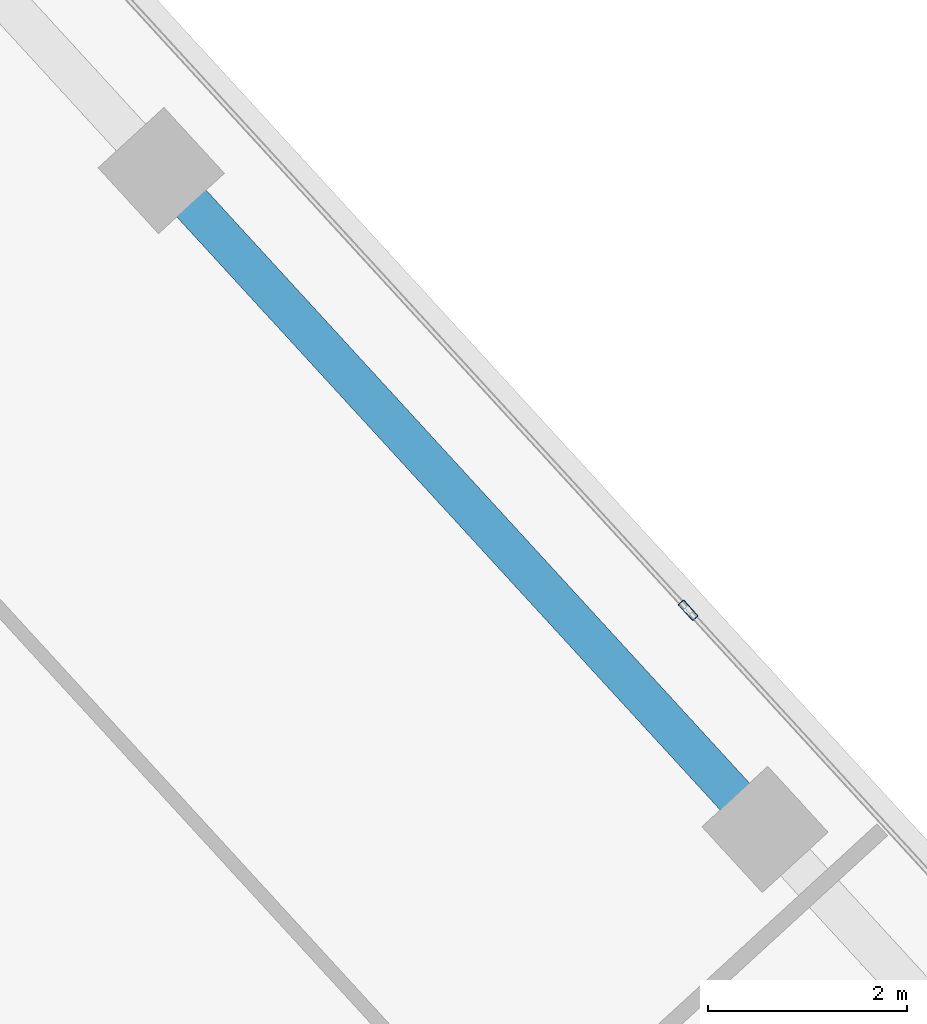
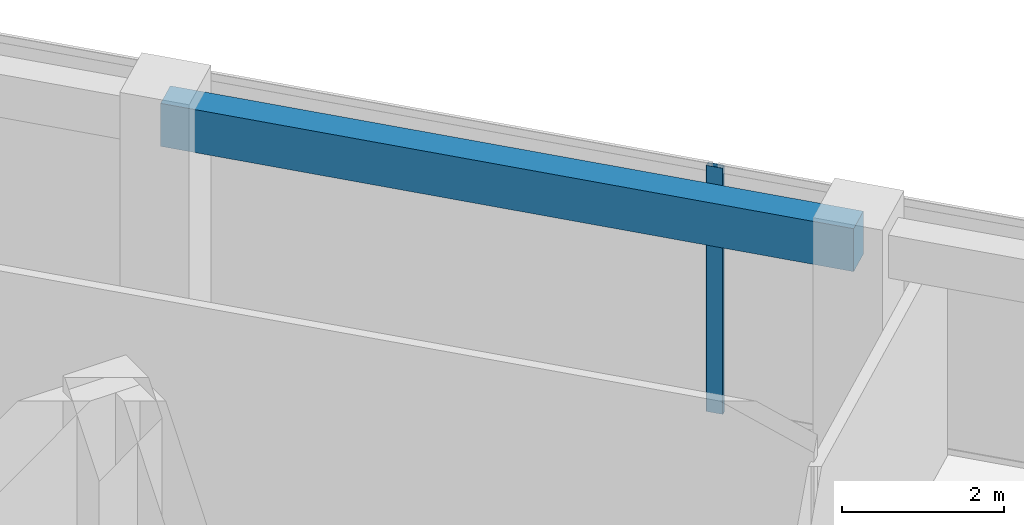
# One storey, part 11 of 18: 1 beam, 1 member, 1 element without a shape of its own.
"""IFC4 building model written with IfcOpenShell, lengths in metres."""

from ifc_helpers import new_model, si_unit, direction, frame, origin, origin_2d, place, context, subcontext, project, spatial, rectangle, hollow_rectangle, extrude, source, transform, mapped, material, material_profile, profile_set, type_object, element, aggregate, save


model = new_model("IFC4")

# Units and contexts
model_context = context("Model", 3, precision=1e-05, world=origin(), true_north=direction((0.0, 1.0)))
body_context = subcontext(model_context, "Body", "Model", "MODEL_VIEW")
ifc_project = project(units=[si_unit("LENGTHUNIT", "METRE"), si_unit("AREAUNIT", "SQUARE_METRE"), si_unit("VOLUMEUNIT", "CUBIC_METRE"), si_unit("PLANEANGLEUNIT", "RADIAN"), si_unit("MASSUNIT", "GRAM", prefix="KILO")], contexts=[model_context])

# Site, building, storey
site_placement = place(None, origin())
site = spatial("IfcSite", under=ifc_project, at=site_placement, CompositionType="ELEMENT")
building_placement = place(site_placement, origin())
building = spatial("IfcBuilding", under=site, at=building_placement, Name="Torre Montelarca", CompositionType="ELEMENT")
storey_placement = place(building_placement, frame((0.0, 0.0, 258.39990234375)))
storey = spatial("IfcBuildingStorey", under=building, at=storey_placement, Name="L58", CompositionType="ELEMENT", Elevation=258.39990234375)

# Beam
ifc_material_1 = material(Name="Concrete C40/50", Category="concrete")
ifc_material_profile_1 = material_profile(ifc_material_1, rectangle(XDim=0.39990234375, YDim=0.64990234375, at=origin_2d()), Name="RCB400X650", Category="concrete")
ifc_profile_set_1 = profile_set([ifc_material_profile_1], Name="Concrete C40/50")
beam_type = type_object("IfcBeamType", Name="BM-SP-RC650-EXT", PredefinedType="SPANDREL", material=ifc_profile_set_1)
shared_shape_1 = source(origin(), body_context, "Body", "SweptSolid", [
    extrude(rectangle(XDim=0.39990234375, YDim=0.64990234375, at=origin_2d()), origin(), (0.0, 0.0, 1.0), 9.0),
])
beam_placement = place(storey_placement, frame((30.30517578125, 44.815673828125, 3.635009765625), z_axis=(0.675590724023, -0.73727686361, 0.0), x_axis=(0.73727686361, 0.675590724023, 0.0)))
element("IfcBeam", 1, at=beam_placement, inside=storey, type_object=beam_type, Name="L58 Grid Girder X 18.0-27.0 at Y=47.1", PredefinedType="SPANDREL", context=body_context, shape_type="MappedRepresentation", body=[
    mapped(shared_shape_1, transform((0.0, 0.0, 0.0), scale=1.0)),
])

# Curtain wall, member
ifc_material_2 = material(Name="Insulated low-E laminated glass", Category="glass")
curtain_wall_type = type_object("IfcCurtainWallType", Name="CW-SYS-Z3", PredefinedType="USERDEFINED", material=ifc_material_2)
curtain_wall_placement = place(storey_placement, origin())
curtain_wall = element("IfcCurtainWall", 2, at=curtain_wall_placement, inside=storey, type_object=curtain_wall_type, Name="L58 Curtain Wall Run CW-T3-L58-E08-B1", ObjectType="UNITISED GLAZING", PredefinedType="USERDEFINED")
ifc_material_3 = material(Name="Anodised aluminium AA 6063-T6", Category="aluminium")
ifc_material_profile_2 = material_profile(ifc_material_3, hollow_rectangle(XDim=0.074951171875, YDim=0.219970703125, WallThickness=0.0048828125, InnerFilletRadius=0.0048828125, OuterFilletRadius=0.010009765625, at=origin_2d()), Name="ALU75X220X5", Category="aluminium")
ifc_profile_set_2 = profile_set([ifc_material_profile_2], Name="Anodised aluminium AA 6063-T6")
member_type = type_object("IfcMemberType", Name="CWM-ALU220", PredefinedType="MULLION", material=ifc_profile_set_2)
shared_shape_2 = source(origin(), body_context, "Body", "SweptSolid", [
    extrude(hollow_rectangle(XDim=0.074951171875, YDim=0.219970703125, WallThickness=0.0048828125, InnerFilletRadius=0.0048828125, OuterFilletRadius=0.010009765625, at=origin_2d()), origin(), (0.0, 0.0, 1.0), 3.72021484375),
])
member_placement = place(storey_placement, frame((35.611328125, 40.386962890625, 0.0), z_axis=(0.0, 0.0, 1.0), x_axis=(-0.737280422496, -0.675586840165, 0.0)))
member = element("IfcMember", 3, at=member_placement, type_object=member_type, Name="CW mullion 2", PredefinedType="MULLION", context=body_context, shape_type="MappedRepresentation", body=[
    mapped(shared_shape_2, transform((0.0, 0.0, 0.0), scale=1.0)),
])
aggregate(curtain_wall, [member])

save(model, "model.ifc")
